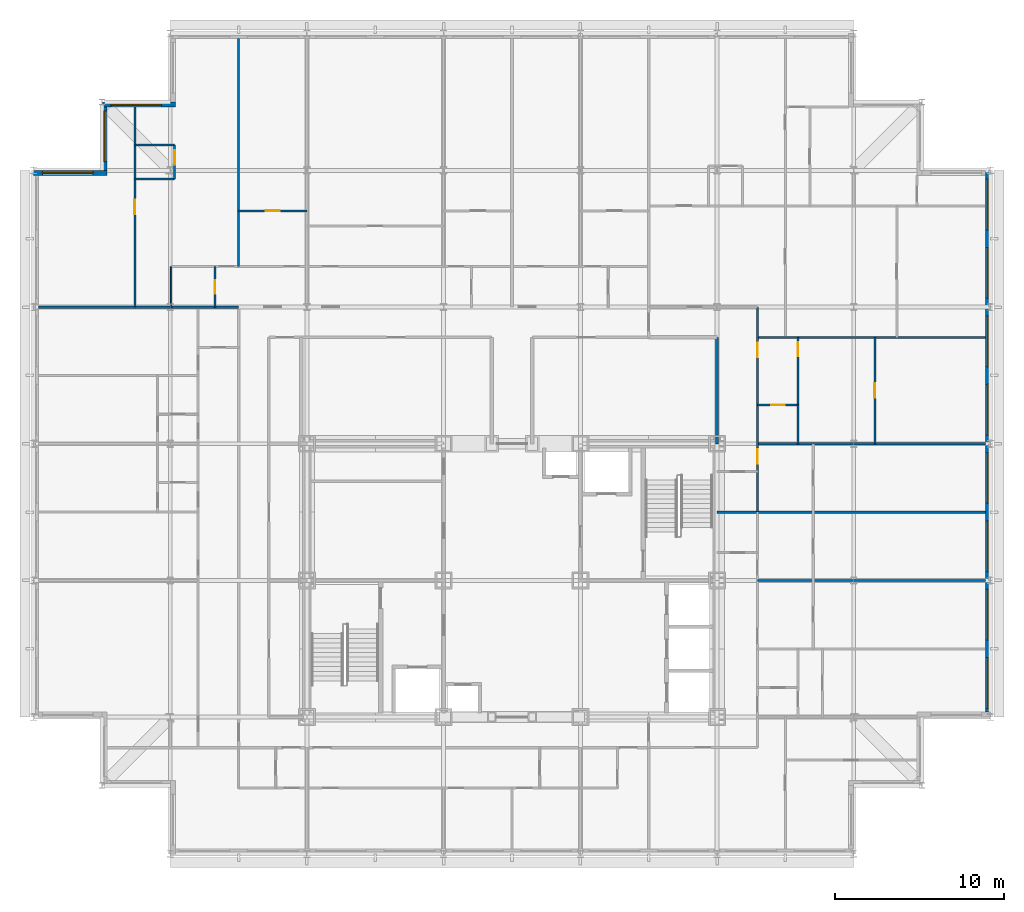
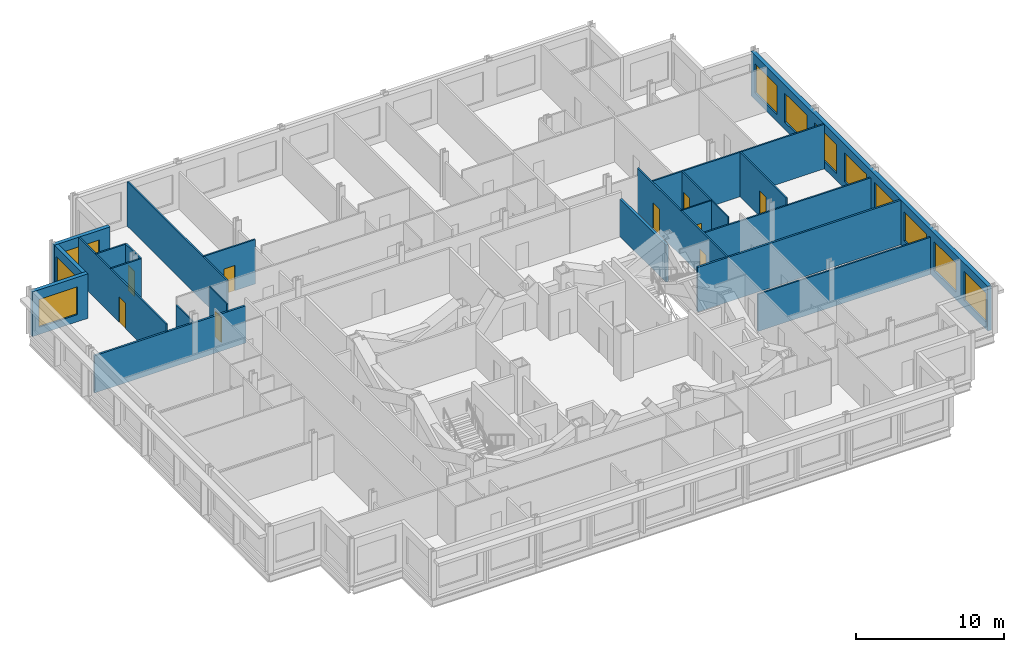
# One storey, part 11 of 15: 23 walls, 11 windows, 9 doors, 20 openings.
"""IFC4 building model written with IfcOpenShell, lengths in metres."""

from ifc_helpers import new_model, si_unit, direction, frame, frame_2d, origin, place, context, subcontext, project, spatial, rectangle, extrude, material, layer, layer_set, type_object, element, fill, save


model = new_model("IFC4")

# Units and contexts
model_context = context("Model", 3, precision=1e-05, world=origin(), true_north=direction((0.0, 1.0)))
body_context = subcontext(model_context, "Body", "Model", "MODEL_VIEW")
ifc_project = project(units=[si_unit("LENGTHUNIT", "METRE"), si_unit("AREAUNIT", "SQUARE_METRE"), si_unit("VOLUMEUNIT", "CUBIC_METRE"), si_unit("PLANEANGLEUNIT", "RADIAN"), si_unit("MASSUNIT", "GRAM", prefix="KILO")], contexts=[model_context])

# Site, building, storey
site_placement = place(None, origin())
site = spatial("IfcSite", under=ifc_project, at=site_placement, CompositionType="ELEMENT")
building_placement = place(site_placement, origin())
building = spatial("IfcBuilding", under=site, at=building_placement, Name="Kopane Lantern Tower", CompositionType="ELEMENT")
storey_placement = place(building_placement, frame((0.0, 0.0, 289.199951171875)))
storey = spatial("IfcBuildingStorey", under=building, at=storey_placement, Name="L74", CompositionType="ELEMENT", Elevation=289.199951171875)

# Walls
ifc_material_1 = material(Name="Gypsum board on steel studs", Category="steel")
ifc_layer_1 = layer(ifc_material_1, 0.1201171875)
ifc_layer_set_1 = layer_set([ifc_layer_1], Name="APARTMENT INTERNAL WALL 120")
wall_type_1 = type_object("IfcWallType", Name="APARTMENT INTERNAL WALL 120", PredefinedType="PARTITIONING", material=ifc_layer_set_1)
wall_1_placement = place(storey_placement, frame((12.14990234375, 51.0, 0.0), z_axis=(0.0, 0.0, 1.0), x_axis=(0.0, 1.0, 0.0)))
element("IfcWall", 1, at=wall_1_placement, inside=storey, type_object=wall_type_1, Name="Apartment Internal Wall 120 L74", PredefinedType="PARTITIONING", context=body_context, shape_type="SweptSolid", body=[
    extrude(rectangle(XDim=13.5, YDim=0.1201171875, at=frame_2d((6.75, 0.0))), origin(), (0.0, 0.0, 1.0), 3.68994140625),
])
wall_2_placement = place(storey_placement, frame((42.89990234375, 32.39990234375, 0.0), z_axis=(0.0, 0.0, 1.0), x_axis=(1.0, 0.0, 0.0)))
element("IfcWall", 2, at=wall_2_placement, inside=storey, type_object=wall_type_1, Name="Apartment Internal Wall 120 L74", PredefinedType="PARTITIONING", context=body_context, shape_type="SweptSolid", body=[
    extrude(rectangle(XDim=13.5, YDim=0.1201171875, at=frame_2d((6.75, 0.0))), origin(), (0.0, 0.0, 1.0), 3.077880859375),
])

# Wall, openings, doors
wall_3_placement = place(storey_placement, frame((42.89990234375, 48.60009765625, 0.0), z_axis=(0.0, 0.0, 1.0), x_axis=(0.0, -1.0, 0.0)))
wall_3 = element("IfcWall", 3, at=wall_3_placement, inside=storey, type_object=wall_type_1, Name="Apartment Internal Wall 120 L74", PredefinedType="PARTITIONING", context=body_context, shape_type="SweptSolid", body=[
    extrude(rectangle(XDim=12.150146484375, YDim=0.1201171875, at=frame_2d((6.0751953125, 0.0))), origin(), (0.0, 0.0, 1.0), 3.68994140625),
])
opening_1_placement = place(wall_3_placement, frame((2.125, 0.0, 0.0)))
opening_1 = element("IfcOpeningElement", 4, at=opening_1_placement, cuts=wall_3, Name="Opening L74-052", PredefinedType="OPENING", context=body_context, shape_type="SweptSolid", body=[
    extrude(rectangle(XDim=0.85009765625, YDim=2.10009765625, at=frame_2d((0.425048828125, 1.050048828125))), frame((0.0, 0.070068359375, 0.0), z_axis=(0.0, -1.0, 0.0), x_axis=(1.0, 0.0, 0.0)), (0.0, 0.0, 1.0), 0.14013671875),
])
opening_2_placement = place(wall_3_placement, frame((8.425048828125, 0.0, 0.0)))
opening_2 = element("IfcOpeningElement", 5, at=opening_2_placement, cuts=wall_3, Name="Opening L74-053", PredefinedType="OPENING", context=body_context, shape_type="SweptSolid", body=[
    extrude(rectangle(XDim=0.85009765625, YDim=2.10009765625, at=frame_2d((0.425048828125, 1.050048828125))), frame((0.0, 0.070068359375, 0.0), z_axis=(0.0, -1.0, 0.0), x_axis=(1.0, 0.0, 0.0)), (0.0, 0.0, 1.0), 0.14013671875),
])
ifc_material_2 = material(Name="Timber door set", Category="wood")
door_type_1 = type_object("IfcDoorType", Name="DOOR D4 850x2100", OperationType="SINGLE_SWING_LEFT", PredefinedType="DOOR", material=ifc_material_2)
door_1_placement = place(opening_1_placement, origin())
door_1 = element("IfcDoor", 6, at=door_1_placement, inside=storey, type_object=door_type_1, Name="Door L74-052", OperationType="SINGLE_SWING_LEFT", OverallHeight=2.10009765625, OverallWidth=0.85009765625, PredefinedType="DOOR", context=body_context, shape_type="SweptSolid", body=[
    extrude(rectangle(XDim=0.85009765625, YDim=2.10009765625, at=frame_2d((0.425048828125, 1.050048828125))), frame((0.0, 0.02490234375, 0.0), z_axis=(0.0, -1.0, 0.0), x_axis=(1.0, 0.0, 0.0)), (0.0, 0.0, 1.0), 0.050048828125),
])
fill(opening_1, door_1)
door_2_placement = place(opening_2_placement, origin())
door_2 = element("IfcDoor", 7, at=door_2_placement, inside=storey, type_object=door_type_1, Name="Door L74-053", OperationType="SINGLE_SWING_LEFT", OverallHeight=2.10009765625, OverallWidth=0.85009765625, PredefinedType="DOOR", context=body_context, shape_type="SweptSolid", body=[
    extrude(rectangle(XDim=0.85009765625, YDim=2.10009765625, at=frame_2d((0.425048828125, 1.050048828125))), frame((0.0, 0.02490234375, 0.0), z_axis=(0.0, -1.0, 0.0), x_axis=(1.0, 0.0, 0.0)), (0.0, 0.0, 1.0), 0.050048828125),
])
fill(opening_2, door_2)

# Walls
wall_4_placement = place(storey_placement, frame((42.89990234375, 46.800048828125, 0.0), z_axis=(0.0, 0.0, 1.0), x_axis=(1.0, 0.0, 0.0)))
element("IfcWall", 8, at=wall_4_placement, inside=storey, type_object=wall_type_1, Name="Apartment Internal Wall 120 L74", PredefinedType="PARTITIONING", context=body_context, shape_type="SweptSolid", body=[
    extrude(rectangle(XDim=13.5, YDim=0.1201171875, at=frame_2d((6.75, 0.0))), origin(), (0.0, 0.0, 1.0), 3.68994140625),
])
wall_5_placement = place(storey_placement, frame((42.89990234375, 40.5, 0.0), z_axis=(0.0, 0.0, 1.0), x_axis=(1.0, 0.0, 0.0)))
element("IfcWall", 9, at=wall_5_placement, inside=storey, type_object=wall_type_1, Name="Apartment Internal Wall 120 L74", PredefinedType="PARTITIONING", context=body_context, shape_type="SweptSolid", body=[
    extrude(rectangle(XDim=13.5, YDim=0.1201171875, at=frame_2d((6.75, 0.0))), origin(), (0.0, 0.0, 1.0), 3.077880859375),
])

# Wall, opening, door
wall_6_placement = place(storey_placement, frame((45.300048828125, 46.800048828125, 0.0), z_axis=(0.0, 0.0, 1.0), x_axis=(0.0, -1.0, 0.0)))
wall_6 = element("IfcWall", 10, at=wall_6_placement, inside=storey, type_object=wall_type_1, Name="Apartment Internal Wall 120 L74", PredefinedType="PARTITIONING", context=body_context, shape_type="SweptSolid", body=[
    extrude(rectangle(XDim=4.010009765625, YDim=0.1201171875, at=frame_2d((2.0048828125, 0.0))), origin(), (0.0, 0.0, 1.0), 3.68994140625),
])
opening_3_placement = place(wall_6_placement, frame((0.27490234375, 0.0, 0.0)))
opening_3 = element("IfcOpeningElement", 11, at=opening_3_placement, cuts=wall_6, Name="Opening L74-059", PredefinedType="OPENING", context=body_context, shape_type="SweptSolid", body=[
    extrude(rectangle(XDim=0.85009765625, YDim=2.10009765625, at=frame_2d((0.425048828125, 1.050048828125))), frame((0.0, 0.070068359375, 0.0), z_axis=(0.0, -1.0, 0.0), x_axis=(1.0, 0.0, 0.0)), (0.0, 0.0, 1.0), 0.14013671875),
])
door_3_placement = place(opening_3_placement, origin())
door_3 = element("IfcDoor", 12, at=door_3_placement, inside=storey, type_object=door_type_1, Name="Door L74-059", OperationType="SINGLE_SWING_LEFT", OverallHeight=2.10009765625, OverallWidth=0.85009765625, PredefinedType="DOOR", context=body_context, shape_type="SweptSolid", body=[
    extrude(rectangle(XDim=0.85009765625, YDim=2.10009765625, at=frame_2d((0.425048828125, 1.050048828125))), frame((0.0, 0.02490234375, 0.0), z_axis=(0.0, -1.0, 0.0), x_axis=(1.0, 0.0, 0.0)), (0.0, 0.0, 1.0), 0.050048828125),
])
fill(opening_3, door_3)

wall_7_placement = place(storey_placement, frame((12.14990234375, 54.300048828125, 0.0), z_axis=(0.0, 0.0, 1.0), x_axis=(1.0, 0.0, 0.0)))
wall_7 = element("IfcWall", 13, at=wall_7_placement, inside=storey, type_object=wall_type_1, Name="Apartment Internal Wall 120 L74", PredefinedType="PARTITIONING", context=body_context, shape_type="SweptSolid", body=[
    extrude(rectangle(XDim=4.050048828125, YDim=0.1201171875, at=frame_2d((2.02490234375, 0.0))), origin(), (0.0, 0.0, 1.0), 3.68994140625),
])
opening_4_placement = place(wall_7_placement, frame((1.60009765625, 0.0, 0.0)))
opening_4 = element("IfcOpeningElement", 14, at=opening_4_placement, cuts=wall_7, Name="Opening L74-063", PredefinedType="OPENING", context=body_context, shape_type="SweptSolid", body=[
    extrude(rectangle(XDim=0.85009765625, YDim=2.10009765625, at=frame_2d((0.425048828125, 1.050048828125))), frame((0.0, 0.070068359375, 0.0), z_axis=(0.0, -1.0, 0.0), x_axis=(1.0, 0.0, 0.0)), (0.0, 0.0, 1.0), 0.14013671875),
])
door_4_placement = place(opening_4_placement, origin())
door_4 = element("IfcDoor", 15, at=door_4_placement, inside=storey, type_object=door_type_1, Name="Door L74-063", OperationType="SINGLE_SWING_RIGHT", OverallHeight=2.10009765625, OverallWidth=0.85009765625, PredefinedType="DOOR", context=body_context, shape_type="SweptSolid", body=[
    extrude(rectangle(XDim=0.85009765625, YDim=2.10009765625, at=frame_2d((0.425048828125, 1.050048828125))), frame((0.0, 0.02490234375, 0.0), z_axis=(0.0, -1.0, 0.0), x_axis=(1.0, 0.0, 0.0)), (0.0, 0.0, 1.0), 0.050048828125),
])
fill(opening_4, door_4)

wall_8_placement = place(storey_placement, frame((6.0, 48.60009765625, 0.0), z_axis=(0.0, 0.0, 1.0), x_axis=(0.0, 1.0, 0.0)))
wall_8 = element("IfcWall", 16, at=wall_8_placement, inside=storey, type_object=wall_type_1, Name="Apartment Internal Wall 120 L74", PredefinedType="PARTITIONING", context=body_context, shape_type="SweptSolid", body=[
    extrude(rectangle(XDim=11.849853515625, YDim=0.1201171875, at=frame_2d((5.9248046875, 0.0))), origin(), (0.0, 0.0, 1.0), 3.68994140625),
])
opening_5_placement = place(wall_8_placement, frame((5.5, 0.0, 0.0)))
opening_5 = element("IfcOpeningElement", 17, at=opening_5_placement, cuts=wall_8, Name="Opening L74-064", PredefinedType="OPENING", context=body_context, shape_type="SweptSolid", body=[
    extrude(rectangle(XDim=0.85009765625, YDim=2.10009765625, at=frame_2d((0.425048828125, 1.050048828125))), frame((0.0, 0.070068359375, 0.0), z_axis=(0.0, -1.0, 0.0), x_axis=(1.0, 0.0, 0.0)), (0.0, 0.0, 1.0), 0.14013671875),
])
door_5_placement = place(opening_5_placement, origin())
door_5 = element("IfcDoor", 18, at=door_5_placement, inside=storey, type_object=door_type_1, Name="Door L74-064", OperationType="SINGLE_SWING_LEFT", OverallHeight=2.10009765625, OverallWidth=0.85009765625, PredefinedType="DOOR", context=body_context, shape_type="SweptSolid", body=[
    extrude(rectangle(XDim=0.85009765625, YDim=2.10009765625, at=frame_2d((0.425048828125, 1.050048828125))), frame((0.0, 0.02490234375, 0.0), z_axis=(0.0, -1.0, 0.0), x_axis=(1.0, 0.0, 0.0)), (0.0, 0.0, 1.0), 0.050048828125),
])
fill(opening_5, door_5)

wall_9_placement = place(storey_placement, frame((49.85009765625, 40.5, 0.0), z_axis=(0.0, 0.0, 1.0), x_axis=(0.0, 1.0, 0.0)))
wall_9 = element("IfcWall", 19, at=wall_9_placement, inside=storey, type_object=wall_type_1, Name="Apartment Internal Wall 120 L74", PredefinedType="PARTITIONING", context=body_context, shape_type="SweptSolid", body=[
    extrude(rectangle(XDim=6.300048828125, YDim=0.1201171875, at=frame_2d((3.14990234375, 0.0))), origin(), (0.0, 0.0, 1.0), 3.68994140625),
])
opening_6_placement = place(wall_9_placement, frame((2.72509765625, 0.0, 0.0)))
opening_6 = element("IfcOpeningElement", 20, at=opening_6_placement, cuts=wall_9, Name="Opening L74-071", PredefinedType="OPENING", context=body_context, shape_type="SweptSolid", body=[
    extrude(rectangle(XDim=0.85009765625, YDim=2.10009765625, at=frame_2d((0.425048828125, 1.050048828125))), frame((0.0, 0.070068359375, 0.0), z_axis=(0.0, -1.0, 0.0), x_axis=(1.0, 0.0, 0.0)), (0.0, 0.0, 1.0), 0.14013671875),
])
door_6_placement = place(opening_6_placement, origin())
door_6 = element("IfcDoor", 21, at=door_6_placement, inside=storey, type_object=door_type_1, Name="Door L74-071", OperationType="SINGLE_SWING_LEFT", OverallHeight=2.10009765625, OverallWidth=0.85009765625, PredefinedType="DOOR", context=body_context, shape_type="SweptSolid", body=[
    extrude(rectangle(XDim=0.85009765625, YDim=2.10009765625, at=frame_2d((0.425048828125, 1.050048828125))), frame((0.0, 0.02490234375, 0.0), z_axis=(0.0, -1.0, 0.0), x_axis=(1.0, 0.0, 0.0)), (0.0, 0.0, 1.0), 0.050048828125),
])
fill(opening_6, door_6)

# Walls
for number, where, z_axis, x_axis, name in (
    (22, (6.0, 56.197021484375, 0.0), (0.0, 0.0, 1.0), (1.0, 0.0, 0.0), "Apartment Internal Wall 120 L74"),
    (23, (6.0, 58.202880859375, 0.0), (0.0, 0.0, 1.0), (1.0, 0.0, 0.0), "Apartment Internal Wall 120 L74"),
):
    element("IfcWall", number, at=place(storey_placement, frame(where, z_axis=z_axis, x_axis=x_axis)), inside=storey, type_object=wall_type_1, Name=name, PredefinedType="PARTITIONING", context=body_context, shape_type="SweptSolid", body=[
        extrude(rectangle(XDim=2.363037109375, YDim=0.1201171875, at=frame_2d((1.181640625, 0.0))), origin(), (0.0, 0.0, 1.0), 3.68994140625),
    ])

# Wall, opening, door
wall_10_placement = place(storey_placement, frame((8.363037109375, 56.197021484375, 0.0), z_axis=(0.0, 0.0, 1.0), x_axis=(0.0, 1.0, 0.0)))
wall_10 = element("IfcWall", 24, at=wall_10_placement, inside=storey, type_object=wall_type_1, Name="Apartment Internal Wall 120 L74", PredefinedType="PARTITIONING", context=body_context, shape_type="SweptSolid", body=[
    extrude(rectangle(XDim=2.005859375, YDim=0.1201171875, at=frame_2d((1.0029296875, 0.0))), origin(), (0.0, 0.0, 1.0), 3.68994140625),
])
opening_7_placement = place(wall_10_placement, frame((0.8310546875, 0.0, 0.0)))
opening_7 = element("IfcOpeningElement", 25, at=opening_7_placement, cuts=wall_10, Name="Opening L74-074", PredefinedType="OPENING", context=body_context, shape_type="SweptSolid", body=[
    extrude(rectangle(XDim=0.85009765625, YDim=2.10009765625, at=frame_2d((0.425048828125, 1.050048828125))), frame((0.0, 0.070068359375, 0.0), z_axis=(0.0, -1.0, 0.0), x_axis=(1.0, 0.0, 0.0)), (0.0, 0.0, 1.0), 0.14013671875),
])
door_7_placement = place(opening_7_placement, origin())
door_7 = element("IfcDoor", 26, at=door_7_placement, inside=storey, type_object=door_type_1, Name="Door L74-074", OperationType="SINGLE_SWING_RIGHT", OverallHeight=2.10009765625, OverallWidth=0.85009765625, PredefinedType="DOOR", context=body_context, shape_type="SweptSolid", body=[
    extrude(rectangle(XDim=0.85009765625, YDim=2.10009765625, at=frame_2d((0.425048828125, 1.050048828125))), frame((0.0, 0.02490234375, 0.0), z_axis=(0.0, -1.0, 0.0), x_axis=(1.0, 0.0, 0.0)), (0.0, 0.0, 1.0), 0.050048828125),
])
fill(opening_7, door_7)

ifc_material_3 = material(Name="Moisture-resistant board on steel studs", Category="steel")
ifc_layer_2 = layer(ifc_material_3, 0.10009765625)
ifc_layer_set_2 = layer_set([ifc_layer_2], Name="BATHROOM WALL 100")
wall_type_2 = type_object("IfcWallType", Name="BATHROOM WALL 100", PredefinedType="PARTITIONING", material=ifc_layer_set_2)
wall_11_placement = place(storey_placement, frame((10.75, 48.60009765625, 0.0), z_axis=(0.0, 0.0, 1.0), x_axis=(0.0, 1.0, 0.0)))
wall_11 = element("IfcWall", 27, at=wall_11_placement, inside=storey, type_object=wall_type_2, Name="Bathroom Wall 100 L74", PredefinedType="PARTITIONING", context=body_context, shape_type="SweptSolid", body=[
    extrude(rectangle(XDim=2.39990234375, YDim=0.10009765625, at=frame_2d((1.199951171875, 0.0))), origin(), (0.0, 0.0, 1.0), 3.68994140625),
])
opening_8_placement = place(wall_11_placement, frame((0.800048828125, 0.0, 0.0)))
opening_8 = element("IfcOpeningElement", 28, at=opening_8_placement, cuts=wall_11, Name="Opening L74-035", PredefinedType="OPENING", context=body_context, shape_type="SweptSolid", body=[
    extrude(rectangle(XDim=0.800048828125, YDim=2.10009765625, at=frame_2d((0.39990234375, 1.050048828125))), frame((0.0, 0.06005859375, 0.0), z_axis=(0.0, -1.0, 0.0), x_axis=(1.0, 0.0, 0.0)), (0.0, 0.0, 1.0), 0.1201171875),
])
ifc_material_4 = material(Name="Timber door set", Category="wood")
door_type_2 = type_object("IfcDoorType", Name="DOOR D2 800x2100", OperationType="SINGLE_SWING_LEFT", PredefinedType="DOOR", material=ifc_material_4)
door_8_placement = place(opening_8_placement, origin())
door_8 = element("IfcDoor", 29, at=door_8_placement, inside=storey, type_object=door_type_2, Name="Door L74-035", OperationType="SINGLE_SWING_LEFT", OverallHeight=2.10009765625, OverallWidth=0.800048828125, PredefinedType="DOOR", context=body_context, shape_type="SweptSolid", body=[
    extrude(rectangle(XDim=0.800048828125, YDim=2.10009765625, at=frame_2d((0.39990234375, 1.050048828125))), frame((0.0, 0.02490234375, 0.0), z_axis=(0.0, -1.0, 0.0), x_axis=(1.0, 0.0, 0.0)), (0.0, 0.0, 1.0), 0.050048828125),
])
fill(opening_8, door_8)

# Wall
wall_12_placement = place(storey_placement, frame((8.14990234375, 48.60009765625, 0.0), z_axis=(0.0, 0.0, 1.0), x_axis=(0.0, 1.0, 0.0)))
element("IfcWall", 30, at=wall_12_placement, inside=storey, type_object=wall_type_2, Name="Bathroom Wall 100 L74", PredefinedType="PARTITIONING", context=body_context, shape_type="SweptSolid", body=[
    extrude(rectangle(XDim=2.39990234375, YDim=0.10009765625, at=frame_2d((1.199951171875, 0.0))), origin(), (0.0, 0.0, 1.0), 3.077880859375),
])

# Wall, opening, door
wall_13_placement = place(storey_placement, frame((42.89990234375, 42.800048828125, 0.0), z_axis=(0.0, 0.0, 1.0), x_axis=(1.0, 0.0, 0.0)))
wall_13 = element("IfcWall", 31, at=wall_13_placement, inside=storey, type_object=wall_type_2, Name="Bathroom Wall 100 L74", PredefinedType="PARTITIONING", context=body_context, shape_type="SweptSolid", body=[
    extrude(rectangle(XDim=2.400146484375, YDim=0.10009765625, at=frame_2d((1.2001953125, 0.0))), origin(), (0.0, 0.0, 1.0), 3.68994140625),
])
opening_9_placement = place(wall_13_placement, frame((0.800048828125, 0.0, 0.0)))
opening_9 = element("IfcOpeningElement", 32, at=opening_9_placement, cuts=wall_13, Name="Opening L74-051", PredefinedType="OPENING", context=body_context, shape_type="SweptSolid", body=[
    extrude(rectangle(XDim=0.800048828125, YDim=2.10009765625, at=frame_2d((0.39990234375, 1.050048828125))), frame((0.0, 0.06005859375, 0.0), z_axis=(0.0, -1.0, 0.0), x_axis=(1.0, 0.0, 0.0)), (0.0, 0.0, 1.0), 0.1201171875),
])
door_9_placement = place(opening_9_placement, origin())
door_9 = element("IfcDoor", 33, at=door_9_placement, inside=storey, type_object=door_type_2, Name="Door L74-051", OperationType="SINGLE_SWING_LEFT", OverallHeight=2.10009765625, OverallWidth=0.800048828125, PredefinedType="DOOR", context=body_context, shape_type="SweptSolid", body=[
    extrude(rectangle(XDim=0.800048828125, YDim=2.10009765625, at=frame_2d((0.39990234375, 1.050048828125))), frame((0.0, 0.02490234375, 0.0), z_axis=(0.0, -1.0, 0.0), x_axis=(1.0, 0.0, 0.0)), (0.0, 0.0, 1.0), 0.050048828125),
])
fill(opening_9, door_9)

# Walls
wall_14_placement = place(storey_placement, frame((45.300048828125, 42.800048828125, 0.0), z_axis=(0.0, 0.0, 1.0), x_axis=(0.0, -1.0, 0.0)))
element("IfcWall", 34, at=wall_14_placement, inside=storey, type_object=wall_type_2, Name="Bathroom Wall 100 L74", PredefinedType="PARTITIONING", context=body_context, shape_type="SweptSolid", body=[
    extrude(rectangle(XDim=2.300048828125, YDim=0.10009765625, at=frame_2d((1.14990234375, 0.0))), origin(), (0.0, 0.0, 1.0), 3.68994140625),
])
ifc_material_5 = material(Name="Gypsum board on steel studs", Category="steel")
ifc_layer_3 = layer(ifc_material_5, 0.14990234375)
ifc_layer_set_3 = layer_set([ifc_layer_3], Name="DEMISING WALL 150 EI 60")
wall_type_3 = type_object("IfcWallType", Name="DEMISING WALL 150 EI 60", PredefinedType="PARTITIONING", material=ifc_layer_set_3)
wall_15_placement = place(storey_placement, frame((0.300048828125, 48.60009765625, 0.0), z_axis=(0.0, 0.0, 1.0), x_axis=(1.0, 0.0, 0.0)))
element("IfcWall", 35, at=wall_15_placement, inside=storey, type_object=wall_type_3, Name="Demising Wall 150 Ei 60 L74", PredefinedType="PARTITIONING", context=body_context, shape_type="SweptSolid", body=[
    extrude(rectangle(XDim=11.849853515625, YDim=0.14990234375, at=frame_2d((5.9248046875, 0.0))), origin(), (0.0, 0.0, 1.0), 3.077880859375),
])
wall_16_placement = place(storey_placement, frame((40.5, 36.449951171875, 0.0), z_axis=(0.0, 0.0, 1.0), x_axis=(1.0, 0.0, 0.0)))
element("IfcWall", 36, at=wall_16_placement, inside=storey, type_object=wall_type_3, Name="Demising Wall 150 Ei 60 L74", PredefinedType="PARTITIONING", context=body_context, shape_type="SweptSolid", body=[
    extrude(rectangle(XDim=15.89990234375, YDim=0.14990234375, at=frame_2d((7.949951171875, 0.0))), origin(), (0.0, 0.0, 1.0), 3.68994140625),
])

# Wall, openings, windows
ifc_material_6 = material(Name="Terracotta rainscreen on light steel framing", Category="masonry")
ifc_layer_4 = layer(ifc_material_6, 0.300048828125)
ifc_layer_set_4 = layer_set([ifc_layer_4], Name="EXTERNAL WALL EW1 300 TERRACOTTA")
wall_type_4 = type_object("IfcWallType", Name="EXTERNAL WALL EW1 300 TERRACOTTA", PredefinedType="SOLIDWALL", material=ifc_layer_set_4)
wall_17_placement = place(storey_placement, frame((56.550048828125, 24.60009765625, 0.0), z_axis=(0.0, 0.0, 1.0), x_axis=(0.0, 1.0, 0.0)))
wall_17 = element("IfcWall", 37, at=wall_17_placement, inside=storey, type_object=wall_type_4, Name="External wall E L74", PredefinedType="SOLIDWALL", context=body_context, shape_type="SweptSolid", body=[
    extrude(rectangle(XDim=32.099853515625, YDim=0.300048828125, at=frame_2d((16.0498046875, 0.0))), origin(), (0.0, 0.0, 1.0), 3.68994140625),
])
opening_10_placement = place(wall_17_placement, frame((0.22509765625, 0.0, 0.60009765625)))
opening_10 = element("IfcOpeningElement", 38, at=opening_10_placement, cuts=wall_17, Name="Opening WR300240", PredefinedType="OPENING", context=body_context, shape_type="SweptSolid", body=[
    extrude(rectangle(XDim=3.0, YDim=2.39990234375, at=frame_2d((1.5, 1.199951171875))), frame((0.0, 0.159912109375, 0.0), z_axis=(0.0, -1.0, 0.0), x_axis=(1.0, 0.0, 0.0)), (0.0, 0.0, 1.0), 0.320068359375),
])
opening_11_placement = place(wall_17_placement, frame((4.27490234375, 0.0, 0.60009765625)))
opening_11 = element("IfcOpeningElement", 39, at=opening_11_placement, cuts=wall_17, Name="Opening WR300240", PredefinedType="OPENING", context=body_context, shape_type="SweptSolid", body=[
    extrude(rectangle(XDim=3.0, YDim=2.39990234375, at=frame_2d((1.5, 1.199951171875))), frame((0.0, 0.159912109375, 0.0), z_axis=(0.0, -1.0, 0.0), x_axis=(1.0, 0.0, 0.0)), (0.0, 0.0, 1.0), 0.320068359375),
])
opening_12_placement = place(wall_17_placement, frame((8.324951171875, 0.0, 0.60009765625)))
opening_12 = element("IfcOpeningElement", 40, at=opening_12_placement, cuts=wall_17, Name="Opening WR300240", PredefinedType="OPENING", context=body_context, shape_type="SweptSolid", body=[
    extrude(rectangle(XDim=3.0, YDim=2.39990234375, at=frame_2d((1.5, 1.199951171875))), frame((0.0, 0.159912109375, 0.0), z_axis=(0.0, -1.0, 0.0), x_axis=(1.0, 0.0, 0.0)), (0.0, 0.0, 1.0), 0.320068359375),
])
opening_13_placement = place(wall_17_placement, frame((12.375, 0.0, 0.60009765625)))
opening_13 = element("IfcOpeningElement", 41, at=opening_13_placement, cuts=wall_17, Name="Opening WR300240", PredefinedType="OPENING", context=body_context, shape_type="SweptSolid", body=[
    extrude(rectangle(XDim=3.0, YDim=2.39990234375, at=frame_2d((1.5, 1.199951171875))), frame((0.0, 0.159912109375, 0.0), z_axis=(0.0, -1.0, 0.0), x_axis=(1.0, 0.0, 0.0)), (0.0, 0.0, 1.0), 0.320068359375),
])
opening_14_placement = place(wall_17_placement, frame((16.425048828125, 0.0, 0.60009765625)))
opening_14 = element("IfcOpeningElement", 42, at=opening_14_placement, cuts=wall_17, Name="Opening WR300240", PredefinedType="OPENING", context=body_context, shape_type="SweptSolid", body=[
    extrude(rectangle(XDim=3.0, YDim=2.39990234375, at=frame_2d((1.5, 1.199951171875))), frame((0.0, 0.159912109375, 0.0), z_axis=(0.0, -1.0, 0.0), x_axis=(1.0, 0.0, 0.0)), (0.0, 0.0, 1.0), 0.320068359375),
])
opening_15_placement = place(wall_17_placement, frame((20.47509765625, 0.0, 0.60009765625)))
opening_15 = element("IfcOpeningElement", 43, at=opening_15_placement, cuts=wall_17, Name="Opening WR300240", PredefinedType="OPENING", context=body_context, shape_type="SweptSolid", body=[
    extrude(rectangle(XDim=3.0, YDim=2.39990234375, at=frame_2d((1.5, 1.199951171875))), frame((0.0, 0.159912109375, 0.0), z_axis=(0.0, -1.0, 0.0), x_axis=(1.0, 0.0, 0.0)), (0.0, 0.0, 1.0), 0.320068359375),
])
opening_16_placement = place(wall_17_placement, frame((24.52490234375, 0.0, 0.60009765625)))
opening_16 = element("IfcOpeningElement", 44, at=opening_16_placement, cuts=wall_17, Name="Opening WR300240", PredefinedType="OPENING", context=body_context, shape_type="SweptSolid", body=[
    extrude(rectangle(XDim=3.0, YDim=2.39990234375, at=frame_2d((1.5, 1.199951171875))), frame((0.0, 0.159912109375, 0.0), z_axis=(0.0, -1.0, 0.0), x_axis=(1.0, 0.0, 0.0)), (0.0, 0.0, 1.0), 0.320068359375),
])
opening_17_placement = place(wall_17_placement, frame((28.574951171875, 0.0, 0.60009765625)))
opening_17 = element("IfcOpeningElement", 45, at=opening_17_placement, cuts=wall_17, Name="Opening WR300240", PredefinedType="OPENING", context=body_context, shape_type="SweptSolid", body=[
    extrude(rectangle(XDim=3.0, YDim=2.39990234375, at=frame_2d((1.5, 1.199951171875))), frame((0.0, 0.159912109375, 0.0), z_axis=(0.0, -1.0, 0.0), x_axis=(1.0, 0.0, 0.0)), (0.0, 0.0, 1.0), 0.320068359375),
])
ifc_material_7 = material(Name="Aluminium and clear glass", Category="aluminium")
window_type_1 = type_object("IfcWindowType", Name="RIBBON WINDOW WR300240 3000x2400", PartitioningType="SINGLE_PANEL", PredefinedType="WINDOW", material=ifc_material_7)
window_1_placement = place(opening_10_placement, origin())
window_1 = element("IfcWindow", 46, at=window_1_placement, inside=storey, type_object=window_type_1, Name="Window E L74", OverallHeight=2.39990234375, OverallWidth=3.0, PartitioningType="SINGLE_PANEL", PredefinedType="WINDOW", context=body_context, shape_type="SweptSolid", body=[
    extrude(rectangle(XDim=3.0, YDim=2.39990234375, at=frame_2d((1.5, 1.199951171875))), frame((0.0, 0.030029296875, 0.0), z_axis=(0.0, -1.0, 0.0), x_axis=(1.0, 0.0, 0.0)), (0.0, 0.0, 1.0), 0.06005859375),
])
fill(opening_10, window_1)
window_2_placement = place(opening_11_placement, origin())
window_2 = element("IfcWindow", 47, at=window_2_placement, inside=storey, type_object=window_type_1, Name="Window E L74", OverallHeight=2.39990234375, OverallWidth=3.0, PartitioningType="SINGLE_PANEL", PredefinedType="WINDOW", context=body_context, shape_type="SweptSolid", body=[
    extrude(rectangle(XDim=3.0, YDim=2.39990234375, at=frame_2d((1.5, 1.199951171875))), frame((0.0, 0.030029296875, 0.0), z_axis=(0.0, -1.0, 0.0), x_axis=(1.0, 0.0, 0.0)), (0.0, 0.0, 1.0), 0.06005859375),
])
fill(opening_11, window_2)
window_3_placement = place(opening_12_placement, origin())
window_3 = element("IfcWindow", 48, at=window_3_placement, inside=storey, type_object=window_type_1, Name="Window E L74", OverallHeight=2.39990234375, OverallWidth=3.0, PartitioningType="SINGLE_PANEL", PredefinedType="WINDOW", context=body_context, shape_type="SweptSolid", body=[
    extrude(rectangle(XDim=3.0, YDim=2.39990234375, at=frame_2d((1.5, 1.199951171875))), frame((0.0, 0.030029296875, 0.0), z_axis=(0.0, -1.0, 0.0), x_axis=(1.0, 0.0, 0.0)), (0.0, 0.0, 1.0), 0.06005859375),
])
fill(opening_12, window_3)
window_4_placement = place(opening_13_placement, origin())
window_4 = element("IfcWindow", 49, at=window_4_placement, inside=storey, type_object=window_type_1, Name="Window E L74", OverallHeight=2.39990234375, OverallWidth=3.0, PartitioningType="SINGLE_PANEL", PredefinedType="WINDOW", context=body_context, shape_type="SweptSolid", body=[
    extrude(rectangle(XDim=3.0, YDim=2.39990234375, at=frame_2d((1.5, 1.199951171875))), frame((0.0, 0.030029296875, 0.0), z_axis=(0.0, -1.0, 0.0), x_axis=(1.0, 0.0, 0.0)), (0.0, 0.0, 1.0), 0.06005859375),
])
fill(opening_13, window_4)
window_5_placement = place(opening_14_placement, origin())
window_5 = element("IfcWindow", 50, at=window_5_placement, inside=storey, type_object=window_type_1, Name="Window E L74", OverallHeight=2.39990234375, OverallWidth=3.0, PartitioningType="SINGLE_PANEL", PredefinedType="WINDOW", context=body_context, shape_type="SweptSolid", body=[
    extrude(rectangle(XDim=3.0, YDim=2.39990234375, at=frame_2d((1.5, 1.199951171875))), frame((0.0, 0.030029296875, 0.0), z_axis=(0.0, -1.0, 0.0), x_axis=(1.0, 0.0, 0.0)), (0.0, 0.0, 1.0), 0.06005859375),
])
fill(opening_14, window_5)
window_6_placement = place(opening_15_placement, origin())
window_6 = element("IfcWindow", 51, at=window_6_placement, inside=storey, type_object=window_type_1, Name="Window E L74", OverallHeight=2.39990234375, OverallWidth=3.0, PartitioningType="SINGLE_PANEL", PredefinedType="WINDOW", context=body_context, shape_type="SweptSolid", body=[
    extrude(rectangle(XDim=3.0, YDim=2.39990234375, at=frame_2d((1.5, 1.199951171875))), frame((0.0, 0.030029296875, 0.0), z_axis=(0.0, -1.0, 0.0), x_axis=(1.0, 0.0, 0.0)), (0.0, 0.0, 1.0), 0.06005859375),
])
fill(opening_15, window_6)
window_7_placement = place(opening_16_placement, origin())
window_7 = element("IfcWindow", 52, at=window_7_placement, inside=storey, type_object=window_type_1, Name="Window E L74", OverallHeight=2.39990234375, OverallWidth=3.0, PartitioningType="SINGLE_PANEL", PredefinedType="WINDOW", context=body_context, shape_type="SweptSolid", body=[
    extrude(rectangle(XDim=3.0, YDim=2.39990234375, at=frame_2d((1.5, 1.199951171875))), frame((0.0, 0.030029296875, 0.0), z_axis=(0.0, -1.0, 0.0), x_axis=(1.0, 0.0, 0.0)), (0.0, 0.0, 1.0), 0.06005859375),
])
fill(opening_16, window_7)
window_8_placement = place(opening_17_placement, origin())
window_8 = element("IfcWindow", 53, at=window_8_placement, inside=storey, type_object=window_type_1, Name="Window E L74", OverallHeight=2.39990234375, OverallWidth=3.0, PartitioningType="SINGLE_PANEL", PredefinedType="WINDOW", context=body_context, shape_type="SweptSolid", body=[
    extrude(rectangle(XDim=3.0, YDim=2.39990234375, at=frame_2d((1.5, 1.199951171875))), frame((0.0, 0.030029296875, 0.0), z_axis=(0.0, -1.0, 0.0), x_axis=(1.0, 0.0, 0.0)), (0.0, 0.0, 1.0), 0.06005859375),
])
fill(opening_17, window_8)

# Wall, opening, window
wall_18_placement = place(storey_placement, frame((8.39990234375, 60.60009765625, 0.0), z_axis=(0.0, 0.0, 1.0), x_axis=(-1.0, 0.0, 0.0)))
wall_18 = element("IfcWall", 54, at=wall_18_placement, inside=storey, type_object=wall_type_4, Name="External wall N L74", PredefinedType="SOLIDWALL", context=body_context, shape_type="SweptSolid", body=[
    extrude(rectangle(XDim=4.349853515625, YDim=0.300048828125, at=frame_2d((2.1748046875, 0.0))), origin(), (0.0, 0.0, 1.0), 3.68994140625),
])
opening_18_placement = place(wall_18_placement, frame((0.824951171875, 0.0, 0.60009765625)))
opening_18 = element("IfcOpeningElement", 55, at=opening_18_placement, cuts=wall_18, Name="Opening WR300230", PredefinedType="OPENING", context=body_context, shape_type="SweptSolid", body=[
    extrude(rectangle(XDim=3.0, YDim=2.300048828125, at=frame_2d((1.5, 1.14990234375))), frame((0.0, 0.159912109375, 0.0), z_axis=(0.0, -1.0, 0.0), x_axis=(1.0, 0.0, 0.0)), (0.0, 0.0, 1.0), 0.320068359375),
])
ifc_material_8 = material(Name="Aluminium and clear glass", Category="aluminium")
window_type_2 = type_object("IfcWindowType", Name="RIBBON WINDOW WR300230 3000x2300", PartitioningType="SINGLE_PANEL", PredefinedType="WINDOW", material=ifc_material_8)
window_9_placement = place(opening_18_placement, origin())
window_9 = element("IfcWindow", 56, at=window_9_placement, inside=storey, type_object=window_type_2, Name="Window N L74", OverallHeight=2.300048828125, OverallWidth=3.0, PartitioningType="SINGLE_PANEL", PredefinedType="WINDOW", context=body_context, shape_type="SweptSolid", body=[
    extrude(rectangle(XDim=3.0, YDim=2.300048828125, at=frame_2d((1.5, 1.14990234375))), frame((0.0, 0.030029296875, 0.0), z_axis=(0.0, -1.0, 0.0), x_axis=(1.0, 0.0, 0.0)), (0.0, 0.0, 1.0), 0.06005859375),
])
fill(opening_18, window_9)

wall_19_placement = place(storey_placement, frame((4.199951171875, 60.449951171875, 0.0), z_axis=(0.0, 0.0, 1.0), x_axis=(0.0, -1.0, 0.0)))
wall_19 = element("IfcWall", 57, at=wall_19_placement, inside=storey, type_object=wall_type_4, Name="External wall W L74", PredefinedType="SOLIDWALL", context=body_context, shape_type="SweptSolid", body=[
    extrude(rectangle(XDim=3.75, YDim=0.300048828125, at=frame_2d((1.875, 0.0))), origin(), (0.0, 0.0, 1.0), 3.68994140625),
])
opening_19_placement = place(wall_19_placement, frame((0.22509765625, 0.0, 0.60009765625)))
opening_19 = element("IfcOpeningElement", 58, at=opening_19_placement, cuts=wall_19, Name="Opening WR300230", PredefinedType="OPENING", context=body_context, shape_type="SweptSolid", body=[
    extrude(rectangle(XDim=3.0, YDim=2.300048828125, at=frame_2d((1.5, 1.14990234375))), frame((0.0, 0.159912109375, 0.0), z_axis=(0.0, -1.0, 0.0), x_axis=(1.0, 0.0, 0.0)), (0.0, 0.0, 1.0), 0.320068359375),
])
window_10_placement = place(opening_19_placement, origin())
window_10 = element("IfcWindow", 59, at=window_10_placement, inside=storey, type_object=window_type_2, Name="Window W L74", OverallHeight=2.300048828125, OverallWidth=3.0, PartitioningType="SINGLE_PANEL", PredefinedType="WINDOW", context=body_context, shape_type="SweptSolid", body=[
    extrude(rectangle(XDim=3.0, YDim=2.300048828125, at=frame_2d((1.5, 1.14990234375))), frame((0.0, 0.030029296875, 0.0), z_axis=(0.0, -1.0, 0.0), x_axis=(1.0, 0.0, 0.0)), (0.0, 0.0, 1.0), 0.06005859375),
])
fill(opening_19, window_10)

wall_20_placement = place(storey_placement, frame((4.35009765625, 56.550048828125, 0.0), z_axis=(0.0, 0.0, 1.0), x_axis=(-1.0, 0.0, 0.0)))
wall_20 = element("IfcWall", 60, at=wall_20_placement, inside=storey, type_object=wall_type_4, Name="External wall N L74", PredefinedType="SOLIDWALL", context=body_context, shape_type="SweptSolid", body=[
    extrude(rectangle(XDim=4.35009765625, YDim=0.300048828125, at=frame_2d((2.175048828125, 0.0))), origin(), (0.0, 0.0, 1.0), 3.68994140625),
])
opening_20_placement = place(wall_20_placement, frame((0.824951171875, 0.0, 0.60009765625)))
opening_20 = element("IfcOpeningElement", 61, at=opening_20_placement, cuts=wall_20, Name="Opening WR300230", PredefinedType="OPENING", context=body_context, shape_type="SweptSolid", body=[
    extrude(rectangle(XDim=3.0, YDim=2.300048828125, at=frame_2d((1.5, 1.14990234375))), frame((0.0, 0.159912109375, 0.0), z_axis=(0.0, -1.0, 0.0), x_axis=(1.0, 0.0, 0.0)), (0.0, 0.0, 1.0), 0.320068359375),
])
window_11_placement = place(opening_20_placement, origin())
window_11 = element("IfcWindow", 62, at=window_11_placement, inside=storey, type_object=window_type_2, Name="Window N L74", OverallHeight=2.300048828125, OverallWidth=3.0, PartitioningType="SINGLE_PANEL", PredefinedType="WINDOW", context=body_context, shape_type="SweptSolid", body=[
    extrude(rectangle(XDim=3.0, YDim=2.300048828125, at=frame_2d((1.5, 1.14990234375))), frame((0.0, 0.030029296875, 0.0), z_axis=(0.0, -1.0, 0.0), x_axis=(1.0, 0.0, 0.0)), (0.0, 0.0, 1.0), 0.06005859375),
])
fill(opening_20, window_11)

# Wall
ifc_material_9 = material(Name="Concrete masonry", Category="masonry")
ifc_layer_5 = layer(ifc_material_9, 0.199951171875)
ifc_layer_set_5 = layer_set([ifc_layer_5], Name="PLANT ROOM WALL 200 EI 120")
wall_type_5 = type_object("IfcWallType", Name="PLANT ROOM WALL 200 EI 120", PredefinedType="SOLIDWALL", material=ifc_layer_set_5)
wall_21_placement = place(storey_placement, frame((40.5, 40.5, 0.0), z_axis=(0.0, 0.0, 1.0), x_axis=(0.0, 1.0, 0.0)))
element("IfcWall", 63, at=wall_21_placement, inside=storey, type_object=wall_type_5, Name="Plant Room Wall 200 Ei 120 L74", PredefinedType="SOLIDWALL", context=body_context, shape_type="SweptSolid", body=[
    extrude(rectangle(XDim=6.300048828125, YDim=0.199951171875, at=frame_2d((3.14990234375, 0.0))), origin(), (0.0, 0.0, 1.0), 3.077880859375),
])

save(model, "model.ifc")
